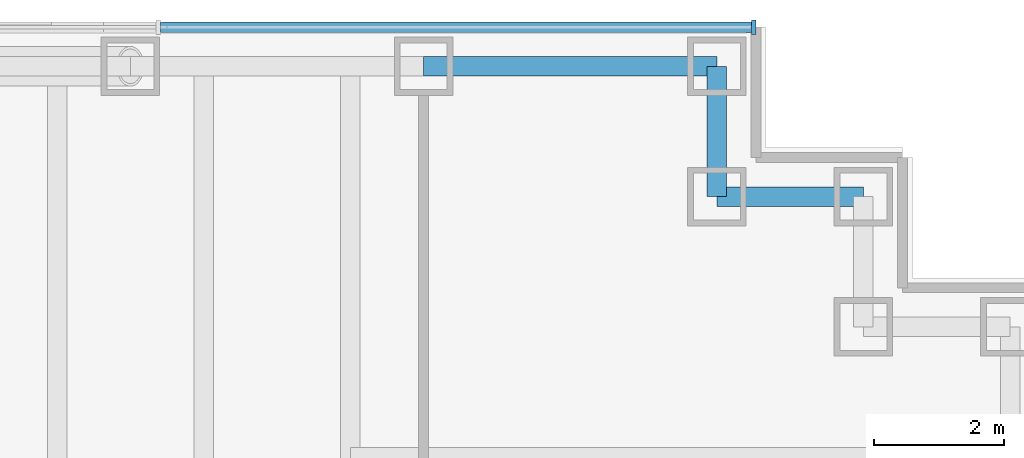
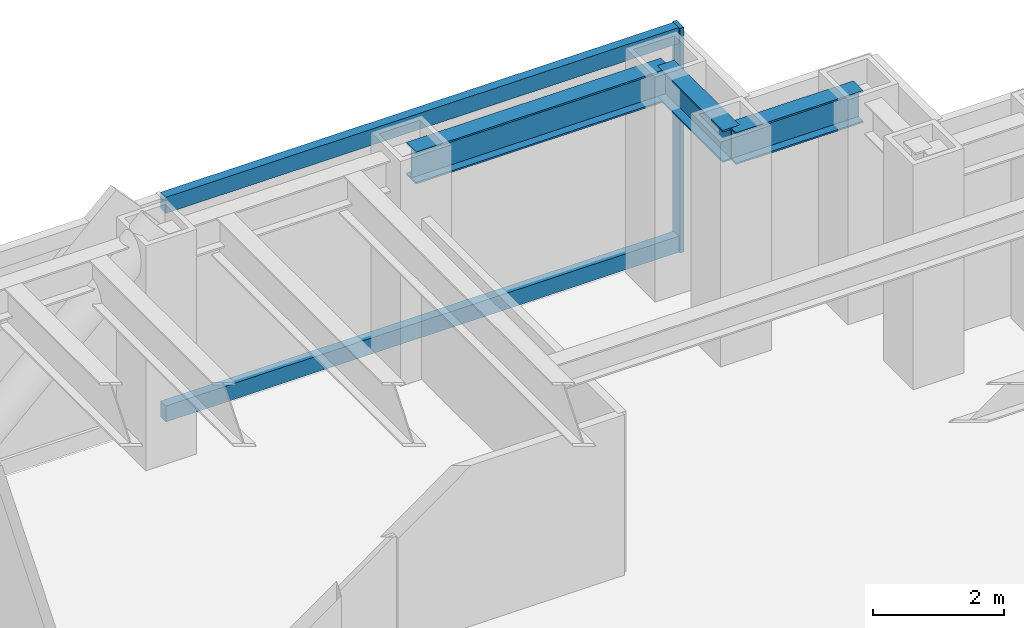
# One storey, part 8 of 14: 3 beams, 3 members, 1 element without a shape of its own.
"""IFC4 building model written with IfcOpenShell, lengths in metres."""

from ifc_helpers import new_model, si_unit, direction, frame, origin, origin_2d, place, context, subcontext, project, spatial, rectangle, i_section, extrude, material, material_profile, profile_set, type_object, element, aggregate, save


model = new_model("IFC4")

# Units and contexts
model_context = context("Model", 3, precision=1e-05, world=origin(), true_north=direction((0.0, 1.0)))
body_context = subcontext(model_context, "Body", "Model", "MODEL_VIEW")
ifc_project = project(units=[si_unit("LENGTHUNIT", "METRE"), si_unit("AREAUNIT", "SQUARE_METRE"), si_unit("VOLUMEUNIT", "CUBIC_METRE"), si_unit("PLANEANGLEUNIT", "RADIAN"), si_unit("MASSUNIT", "GRAM", prefix="KILO")], contexts=[model_context])

# Site, building, storey
site_placement = place(None, origin())
site = spatial("IfcSite", under=ifc_project, at=site_placement, CompositionType="ELEMENT")
building_placement = place(site_placement, origin())
building = spatial("IfcBuilding", under=site, at=building_placement, Name="Rheinbord Bourse Tower", CompositionType="ELEMENT")
storey_placement = place(building_placement, frame((0.0, 0.0, 202.60009765625)))
storey = spatial("IfcBuildingStorey", under=building, at=storey_placement, Name="L45", CompositionType="ELEMENT", Elevation=202.60009765625)

# Curtain wall, members
ifc_material_1 = material(Name="Dark glass and black aluminium", Category="aluminium")
curtain_wall_type = type_object("IfcCurtainWallType", Name="CW2 DARK GLASS CURTAIN WALL", PredefinedType="USERDEFINED", material=ifc_material_1)
curtain_wall_placement = place(storey_placement, origin())
curtain_wall = element("IfcCurtainWall", 1, at=curtain_wall_placement, inside=storey, type_object=curtain_wall_type, Name="Curtain wall CW2 N L45", ObjectType="UNITISED CURTAIN WALL", PredefinedType="USERDEFINED")
ifc_material_2 = material(Name="Black anodised aluminium", Category="aluminium")
ifc_material_profile_1 = material_profile(ifc_material_2, rectangle(XDim=0.219970703125, YDim=0.070068359375, at=origin_2d()), Name="CW2 MULLION 70x220")
ifc_profile_set_1 = profile_set([ifc_material_profile_1], Name="Black anodised aluminium")
member_type_1 = type_object("IfcMemberType", Name="CW2 BLACK MULLION", PredefinedType="MULLION", material=ifc_profile_set_1)
member_1_placement = place(storey_placement, frame((68.06494140625, 44.60009765625, 0.0), z_axis=(0.0, 0.0, 1.0), x_axis=(0.0, -1.0, 0.0)))
member_1 = element("IfcMember", 2, at=member_1_placement, type_object=member_type_1, Name="CW2 mullion 1", PredefinedType="MULLION", context=body_context, shape_type="SweptSolid", body=[
    extrude(rectangle(XDim=0.219970703125, YDim=0.070068359375, at=origin_2d()), origin(), (0.0, 0.0, 1.0), 4.199951171875),
])
ifc_material_3 = material(Name="Black anodised aluminium", Category="aluminium")
ifc_material_profile_2 = material_profile(ifc_material_3, rectangle(XDim=0.159912109375, YDim=0.300048828125, at=origin_2d()), Name="CW2 TRANSOM 300x160")
ifc_profile_set_2 = profile_set([ifc_material_profile_2], Name="Black anodised aluminium")
member_type_2 = type_object("IfcMemberType", Name="CW2 BLACK TRANSOM", PredefinedType="USERDEFINED", material=ifc_profile_set_2)
member_2_placement = place(storey_placement, frame((68.030029296875, 44.60009765625, 0.14990234375), z_axis=(-1.0, 0.0, 0.0), x_axis=(0.0, -1.0, 0.0)))
member_2 = element("IfcMember", 3, at=member_2_placement, type_object=member_type_2, Name="CW2 transom 1.1", ObjectType="TRANSOM", PredefinedType="USERDEFINED", context=body_context, shape_type="SweptSolid", body=[
    extrude(rectangle(XDim=0.159912109375, YDim=0.300048828125, at=origin_2d()), origin(), (0.0, 0.0, 1.0), 9.06640625),
])
member_3_placement = place(storey_placement, frame((68.030029296875, 44.60009765625, 4.0498046875), z_axis=(-1.0, 0.0, 0.0), x_axis=(0.0, -1.0, 0.0)))
member_3 = element("IfcMember", 4, at=member_3_placement, type_object=member_type_2, Name="CW2 transom 1.2", ObjectType="TRANSOM", PredefinedType="USERDEFINED", context=body_context, shape_type="SweptSolid", body=[
    extrude(rectangle(XDim=0.159912109375, YDim=0.300048828125, at=origin_2d()), origin(), (0.0, 0.0, 1.0), 9.06640625),
])
aggregate(curtain_wall, [member_1, member_2, member_3])

# Beams
ifc_material_4 = material(Name="Steel S460", Category="steel")
ifc_material_profile_3 = material_profile(ifc_material_4, i_section(OverallWidth=0.300048828125, OverallDepth=0.60009765625, WebThickness=0.015380859375, FlangeThickness=0.030029296875, at=origin_2d()), Name="HEB 600")
ifc_profile_set_3 = profile_set([ifc_material_profile_3], Name="Steel S460")
beam_type = type_object("IfcBeamType", Name="SPANDREL HEB 600", PredefinedType="SPANDREL", material=ifc_profile_set_3)
beam_1_placement = place(storey_placement, frame((69.75, 42.0, 3.739990234375), z_axis=(-1.0, 0.0, 0.0), x_axis=(0.0, -1.0, 0.0)))
element("IfcBeam", 5, at=beam_1_placement, inside=storey, type_object=beam_type, Name="Spandrel NE-C-NE-D under L46", PredefinedType="SPANDREL", context=body_context, shape_type="SweptSolid", body=[
    extrude(i_section(OverallWidth=0.300048828125, OverallDepth=0.60009765625, WebThickness=0.015380859375, FlangeThickness=0.030029296875, at=origin_2d()), origin(), (0.0, 0.0, 1.0), 2.25),
])
beam_2_placement = place(storey_placement, frame((67.5, 42.0, 3.739990234375), z_axis=(0.0, 1.0, 0.0), x_axis=(-1.0, 0.0, 0.0)))
element("IfcBeam", 6, at=beam_2_placement, inside=storey, type_object=beam_type, Name="Spandrel NE-D-NE-E under L46", PredefinedType="SPANDREL", context=body_context, shape_type="SweptSolid", body=[
    extrude(i_section(OverallWidth=0.300048828125, OverallDepth=0.60009765625, WebThickness=0.015380859375, FlangeThickness=0.030029296875, at=origin_2d()), origin(), (0.0, 0.0, 1.0), 2.0),
])
beam_3_placement = place(storey_placement, frame((67.5, 44.0, 3.739990234375), z_axis=(-1.0, 0.0, 0.0), x_axis=(0.0, -1.0, 0.0)))
element("IfcBeam", 7, at=beam_3_placement, inside=storey, type_object=beam_type, Name="Spandrel NE-E-N-63 under L46", PredefinedType="SPANDREL", context=body_context, shape_type="SweptSolid", body=[
    extrude(i_section(OverallWidth=0.300048828125, OverallDepth=0.60009765625, WebThickness=0.015380859375, FlangeThickness=0.030029296875, at=origin_2d()), origin(), (0.0, 0.0, 1.0), 4.5),
])

save(model, "model.ifc")
